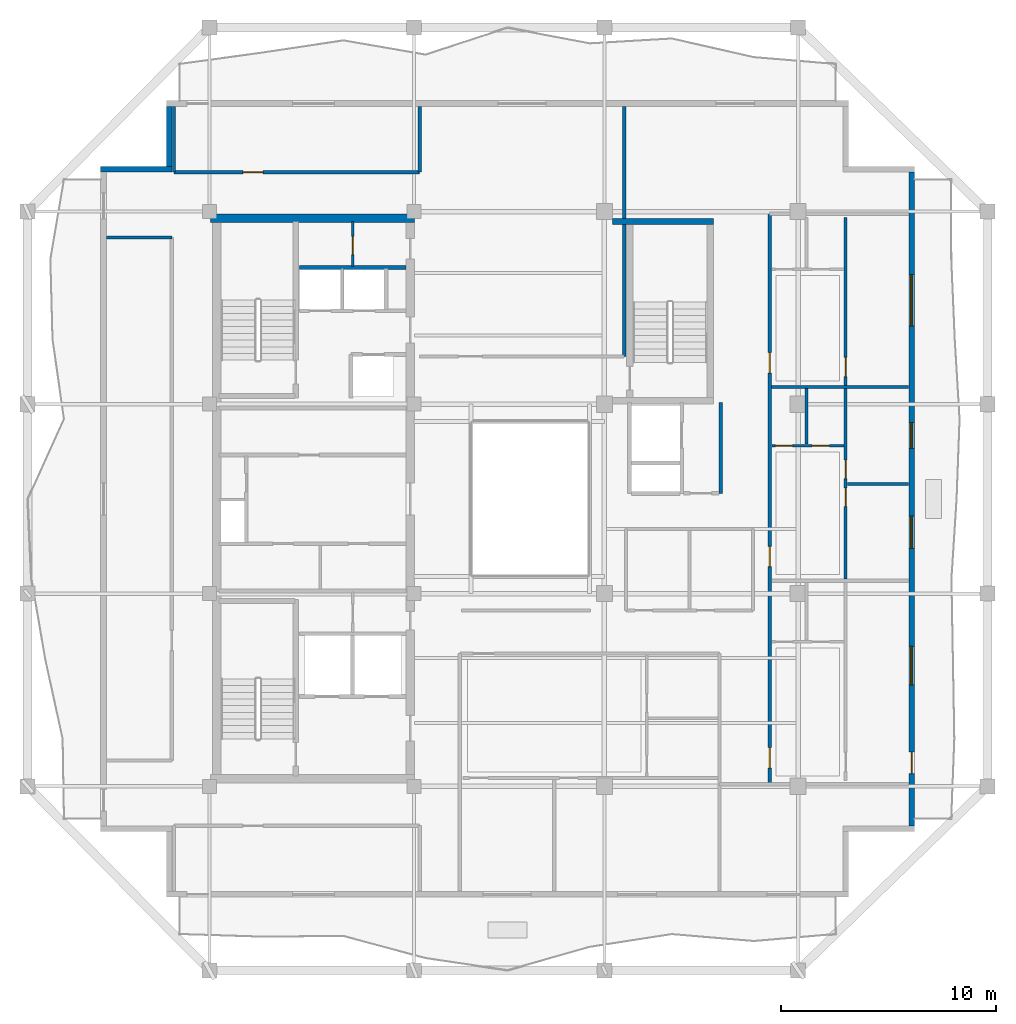
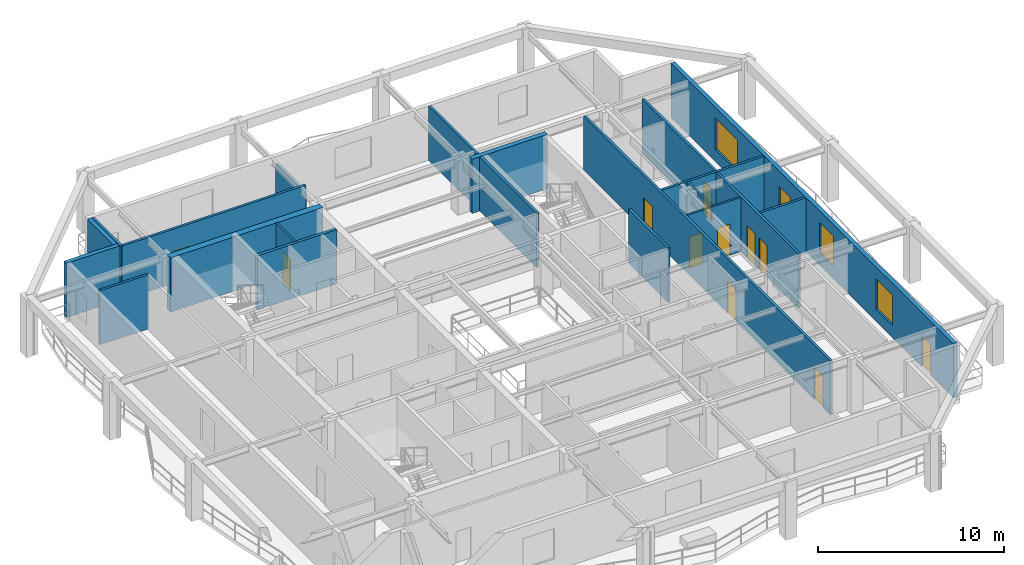
# One storey, part 5 of 10: 20 walls, 11 doors, 4 windows, 15 openings.
"""IFC4 building model written with IfcOpenShell, lengths in metres."""

from ifc_helpers import new_model, si_unit, direction, frame, frame_2d, origin, place, context, subcontext, project, spatial, rectangle, extrude, material, layer, layer_set, type_object, element, fill, save


model = new_model("IFC4")

# Units and contexts
model_context = context("Model", 3, precision=1e-05, world=origin(), true_north=direction((0.0, 1.0)))
body_context = subcontext(model_context, "Body", "Model", "MODEL_VIEW")
ifc_project = project(units=[si_unit("LENGTHUNIT", "METRE"), si_unit("AREAUNIT", "SQUARE_METRE"), si_unit("VOLUMEUNIT", "CUBIC_METRE"), si_unit("PLANEANGLEUNIT", "RADIAN"), si_unit("MASSUNIT", "GRAM", prefix="KILO")], contexts=[model_context])

# Site, building, storey
site_placement = place(None, origin())
site = spatial("IfcSite", under=ifc_project, at=site_placement, CompositionType="ELEMENT")
building_placement = place(site_placement, origin())
building = spatial("IfcBuilding", under=site, at=building_placement, Name="Kundavana Baori Tower", CompositionType="ELEMENT")
storey_placement = place(building_placement, frame((0.0, 0.0, 320.10009765625)))
storey = spatial("IfcBuildingStorey", under=building, at=storey_placement, Name="L79", CompositionType="ELEMENT", Elevation=320.10009765625)

# Wall
ifc_material_1 = material(Name="Concrete C50/60", Category="concrete")
ifc_layer_1 = layer(ifc_material_1, 0.39990234375, Name="WL-CORE-400")
ifc_layer_set_1 = layer_set([ifc_layer_1], Name="Concrete C50/60")
wall_type_1 = type_object("IfcWallType", Name="WL-CORE-400", PredefinedType="SHEAR", material=ifc_layer_set_1)
wall_1_placement = place(storey_placement, frame((15.5, 41.639892578125, 0.0), z_axis=(0.0, 0.0, 1.0), x_axis=(1.0, 0.0, 0.0)))
element("IfcWall", 1, at=wall_1_placement, inside=storey, type_object=wall_type_1, Name="L79 Offset Core North Shear Wall", PredefinedType="SHEAR", context=body_context, shape_type="SweptSolid", body=[
    extrude(rectangle(XDim=9.47998046875, YDim=0.39990234375, at=frame_2d((4.739990234375, 0.0))), origin(), (0.0, 0.0, 1.0), 3.559814453125),
])

# Wall, openings, door, windows
ifc_material_2 = material(Name="Kiln-Fired Terracotta Brick-Slip Masonry on Concrete C40/50", Category="masonry")
ifc_layer_2 = layer(ifc_material_2, 0.260009765625, Name="WL-EXT-BRK-260")
ifc_layer_set_2 = layer_set([ifc_layer_2], Name="Kiln-Fired Terracotta Brick-Slip Masonry on Concrete C40/50")
wall_type_2 = type_object("IfcWallType", Name="WL-EXT-BRK-260", PredefinedType="SOLIDWALL", material=ifc_layer_set_2)
wall_2_placement = place(storey_placement, frame((48.070068359375, 13.409912109375, 0.0), z_axis=(0.0, 0.0, 1.0), x_axis=(0.0, 1.0, 0.0)))
wall_2 = element("IfcWall", 2, at=wall_2_placement, inside=storey, type_object=wall_type_2, Name="L79 Exterior Insulated Facade Wall 04", PredefinedType="SOLIDWALL", context=body_context, shape_type="SweptSolid", body=[
    extrude(rectangle(XDim=30.380126953125, YDim=0.260009765625, at=frame_2d((15.18994140625, 0.0))), origin(), (0.0, 0.0, 1.0), 3.559814453125),
])
opening_1_placement = place(wall_2_placement, frame((2.429931640625, 0.0, 0.0)))
opening_1 = element("IfcOpeningElement", 3, at=opening_1_placement, cuts=wall_2, Name="Opening BD-1", PredefinedType="OPENING", context=body_context, shape_type="SweptSolid", body=[
    extrude(rectangle(XDim=1.0, YDim=2.050048828125, at=frame_2d((0.5, 1.02490234375))), frame((0.0, 0.14013671875, 0.0), z_axis=(0.0, -1.0, 0.0), x_axis=(1.0, 0.0, 0.0)), (0.0, 0.0, 1.0), 0.280029296875),
])
opening_2_placement = place(wall_2_placement, frame((6.5400390625, 0.0, 0.800048828125)))
opening_2 = element("IfcOpeningElement", 4, at=opening_2_placement, cuts=wall_2, Name="Opening W-01", PredefinedType="OPENING", context=body_context, shape_type="SweptSolid", body=[
    extrude(rectangle(XDim=1.800048828125, YDim=2.0, at=frame_2d((0.89990234375, 1.0))), frame((0.0, 0.14013671875, 0.0), z_axis=(0.0, -1.0, 0.0), x_axis=(1.0, 0.0, 0.0)), (0.0, 0.0, 1.0), 0.280029296875),
])
opening_3_placement = place(wall_2_placement, frame((12.889892578125, 0.0, 0.800048828125)))
opening_3 = element("IfcOpeningElement", 5, at=opening_3_placement, cuts=wall_2, Name="Opening W-02", PredefinedType="OPENING", context=body_context, shape_type="SweptSolid", body=[
    extrude(rectangle(XDim=1.5, YDim=2.0, at=frame_2d((0.75, 1.0))), frame((0.0, 0.14013671875, 0.0), z_axis=(0.0, -1.0, 0.0), x_axis=(1.0, 0.0, 0.0)), (0.0, 0.0, 1.0), 0.280029296875),
])
opening_4_placement = place(wall_2_placement, frame((17.5400390625, 0.0, 0.800048828125)))
opening_4 = element("IfcOpeningElement", 6, at=opening_4_placement, cuts=wall_2, Name="Opening W-03", PredefinedType="OPENING", context=body_context, shape_type="SweptSolid", body=[
    extrude(rectangle(XDim=1.199951171875, YDim=1.75, at=frame_2d((0.60009765625, 0.875))), frame((0.0, 0.14013671875, 0.0), z_axis=(0.0, -1.0, 0.0), x_axis=(1.0, 0.0, 0.0)), (0.0, 0.0, 1.0), 0.280029296875),
])
opening_5_placement = place(wall_2_placement, frame((23.215087890625, 0.0, 0.800048828125)))
opening_5 = element("IfcOpeningElement", 7, at=opening_5_placement, cuts=wall_2, Name="Opening W-04", PredefinedType="OPENING", context=body_context, shape_type="SweptSolid", body=[
    extrude(rectangle(XDim=2.39990234375, YDim=2.050048828125, at=frame_2d((1.199951171875, 1.02490234375))), frame((0.0, 0.14013671875, 0.0), z_axis=(0.0, -1.0, 0.0), x_axis=(1.0, 0.0, 0.0)), (0.0, 0.0, 1.0), 0.280029296875),
])
ifc_material_3 = material(Name="Architectural Patinated Bronze Metalwork")
door_type_1 = type_object("IfcDoorType", Name="DR-EXT-LOG-1000", OperationType="NOTDEFINED", PredefinedType="DOOR", material=ifc_material_3)
door_1_placement = place(opening_1_placement, frame((1.0, 0.0, 0.0), z_axis=(0.0, 0.0, 1.0), x_axis=(-1.0, 0.0, 0.0)))
door_1 = element("IfcDoor", 8, at=door_1_placement, inside=storey, type_object=door_type_1, Name="L79 Loggia Balcony Access Door E", OperationType="SINGLE_SWING_RIGHT", OverallHeight=2.050048828125, OverallWidth=1.0, PredefinedType="DOOR", context=body_context, shape_type="SweptSolid", body=[
    extrude(rectangle(XDim=1.0, YDim=2.050048828125, at=frame_2d((0.5, 1.02490234375))), frame((0.0, 0.02490234375, 0.0), z_axis=(0.0, -1.0, 0.0), x_axis=(1.0, 0.0, 0.0)), (0.0, 0.0, 1.0), 0.050048828125),
])
fill(opening_1, door_1)
ifc_material_4 = material(Name="Double-Glazed Solar-Control Low-E Insulated Glass", Category="glass")
window_type_1 = type_object("IfcWindowType", Name="WIN-LOG-1200x1750", PartitioningType="SINGLE_PANEL", PredefinedType="WINDOW", material=ifc_material_4)
window_1_placement = place(opening_4_placement, origin())
window_1 = element("IfcWindow", 9, at=window_1_placement, inside=storey, type_object=window_type_1, Name="L79 Recessed Loggia Window E-3", OverallHeight=1.75, OverallWidth=1.199951171875, PartitioningType="SINGLE_PANEL", PredefinedType="WINDOW", context=body_context, shape_type="SweptSolid", body=[
    extrude(rectangle(XDim=1.199951171875, YDim=1.75, at=frame_2d((0.60009765625, 0.875))), frame((0.0, 0.030029296875, 0.0), z_axis=(0.0, -1.0, 0.0), x_axis=(1.0, 0.0, 0.0)), (0.0, 0.0, 1.0), 0.06005859375),
])
fill(opening_4, window_1)
ifc_material_5 = material(Name="Double-Glazed Solar-Control Low-E Insulated Glass", Category="glass")
window_type_2 = type_object("IfcWindowType", Name="WIN-LOG-1500x2000", PartitioningType="SINGLE_PANEL", PredefinedType="WINDOW", material=ifc_material_5)
window_2_placement = place(opening_3_placement, origin())
window_2 = element("IfcWindow", 10, at=window_2_placement, inside=storey, type_object=window_type_2, Name="L79 Recessed Loggia Window E-2", OverallHeight=2.0, OverallWidth=1.5, PartitioningType="SINGLE_PANEL", PredefinedType="WINDOW", context=body_context, shape_type="SweptSolid", body=[
    extrude(rectangle(XDim=1.5, YDim=2.0, at=frame_2d((0.75, 1.0))), frame((0.0, 0.030029296875, 0.0), z_axis=(0.0, -1.0, 0.0), x_axis=(1.0, 0.0, 0.0)), (0.0, 0.0, 1.0), 0.06005859375),
])
fill(opening_3, window_2)
ifc_material_6 = material(Name="Double-Glazed Solar-Control Low-E Insulated Glass", Category="glass")
window_type_3 = type_object("IfcWindowType", Name="WIN-LOG-1800x2000", PartitioningType="SINGLE_PANEL", PredefinedType="WINDOW", material=ifc_material_6)
window_3_placement = place(opening_2_placement, origin())
window_3 = element("IfcWindow", 11, at=window_3_placement, inside=storey, type_object=window_type_3, Name="L79 Recessed Loggia Window E-1", OverallHeight=2.0, OverallWidth=1.800048828125, PartitioningType="SINGLE_PANEL", PredefinedType="WINDOW", context=body_context, shape_type="SweptSolid", body=[
    extrude(rectangle(XDim=1.800048828125, YDim=2.0, at=frame_2d((0.89990234375, 1.0))), frame((0.0, 0.030029296875, 0.0), z_axis=(0.0, -1.0, 0.0), x_axis=(1.0, 0.0, 0.0)), (0.0, 0.0, 1.0), 0.06005859375),
])
fill(opening_2, window_3)
ifc_material_7 = material(Name="Double-Glazed Solar-Control Low-E Insulated Glass", Category="glass")
window_type_4 = type_object("IfcWindowType", Name="WIN-LOG-2400x2050", PartitioningType="SINGLE_PANEL", PredefinedType="WINDOW", material=ifc_material_7)
window_4_placement = place(opening_5_placement, origin())
window_4 = element("IfcWindow", 12, at=window_4_placement, inside=storey, type_object=window_type_4, Name="L79 Recessed Loggia Window E-4", OverallHeight=2.050048828125, OverallWidth=2.39990234375, PartitioningType="SINGLE_PANEL", PredefinedType="WINDOW", context=body_context, shape_type="SweptSolid", body=[
    extrude(rectangle(XDim=2.39990234375, YDim=2.050048828125, at=frame_2d((1.199951171875, 1.02490234375))), frame((0.0, 0.030029296875, 0.0), z_axis=(0.0, -1.0, 0.0), x_axis=(1.0, 0.0, 0.0)), (0.0, 0.0, 1.0), 0.06005859375),
])
fill(opening_5, window_4)

# Walls
wall_3_placement = place(storey_placement, frame((13.580078125, 46.840087890625, 0.0), z_axis=(0.0, 0.0, 1.0), x_axis=(0.0, -1.0, 0.0)))
element("IfcWall", 13, at=wall_3_placement, inside=storey, type_object=wall_type_2, Name="L79 Exterior Insulated Facade Wall 08", PredefinedType="SOLIDWALL", context=body_context, shape_type="SweptSolid", body=[
    extrude(rectangle(XDim=2.7900390625, YDim=0.260009765625, at=frame_2d((1.39501953125, 0.0))), origin(), (0.0, 0.0, 1.0), 3.559814453125),
])
wall_4_placement = place(storey_placement, frame((13.7099609375, 43.919921875, 0.0), z_axis=(0.0, 0.0, 1.0), x_axis=(-1.0, 0.0, 0.0)))
element("IfcWall", 14, at=wall_4_placement, inside=storey, type_object=wall_type_2, Name="L79 Exterior Insulated Facade Wall 09", PredefinedType="SOLIDWALL", context=body_context, shape_type="SweptSolid", body=[
    extrude(rectangle(XDim=3.31005859375, YDim=0.260009765625, at=frame_2d((1.655029296875, 0.0))), origin(), (0.0, 0.0, 1.0), 3.559814453125),
])

# Wall, opening, door
ifc_material_8 = material(Name="Acoustic Gypsum Plasterboard on Galvanised Steel Studs", Category="steel")
ifc_layer_3 = layer(ifc_material_8, 0.1201171875, Name="WL-PART-120")
ifc_layer_set_3 = layer_set([ifc_layer_3], Name="Acoustic Gypsum Plasterboard on Galvanised Steel Studs")
wall_type_3 = type_object("IfcWallType", Name="WL-PART-120", PredefinedType="PARTITIONING", material=ifc_layer_set_3)
wall_5_placement = place(storey_placement, frame((22.10009765625, 39.39990234375, 0.0), z_axis=(0.0, 0.0, 1.0), x_axis=(0.0, 1.0, 0.0)))
wall_5 = element("IfcWall", 15, at=wall_5_placement, inside=storey, type_object=wall_type_3, Name="WL-L79-CSRV-D1", PredefinedType="PARTITIONING", context=body_context, shape_type="SweptSolid", body=[
    extrude(rectangle(XDim=2.080078125, YDim=0.1201171875, at=frame_2d((1.0400390625, 0.0))), origin(), (0.0, 0.0, 1.0), 3.559814453125),
])
opening_6_placement = place(wall_5_placement, frame((0.550048828125, 0.0, 0.0)))
opening_6 = element("IfcOpeningElement", 16, at=opening_6_placement, cuts=wall_5, Name="Opening FD-085", PredefinedType="OPENING", context=body_context, shape_type="SweptSolid", body=[
    extrude(rectangle(XDim=0.85009765625, YDim=2.06005859375, at=frame_2d((0.425048828125, 1.030029296875))), frame((0.0, 0.070068359375, 0.0), z_axis=(0.0, -1.0, 0.0), x_axis=(1.0, 0.0, 0.0)), (0.0, 0.0, 1.0), 0.14013671875),
])
ifc_material_9 = material(Name="Galvanised Steel Fire-Rated Door Leaf", Category="steel")
door_type_2 = type_object("IfcDoorType", Name="DR-FD60-850", OperationType="NOTDEFINED", PredefinedType="DOOR", material=ifc_material_9)
door_2_placement = place(opening_6_placement, origin())
door_2 = element("IfcDoor", 17, at=door_2_placement, inside=storey, type_object=door_type_2, Name="DR-L79-CSRV1", OperationType="SINGLE_SWING_LEFT", OverallHeight=2.06005859375, OverallWidth=0.85009765625, PredefinedType="DOOR", context=body_context, shape_type="SweptSolid", body=[
    extrude(rectangle(XDim=0.85009765625, YDim=2.06005859375, at=frame_2d((0.425048828125, 1.030029296875))), frame((0.0, 0.02490234375, 0.0), z_axis=(0.0, -1.0, 0.0), x_axis=(1.0, 0.0, 0.0)), (0.0, 0.0, 1.0), 0.050048828125),
])
fill(opening_6, door_2)

# Wall
ifc_material_10 = material(Name="Fire-Rated Gypsum Drywall on Galvanised Steel Studs", Category="steel")
ifc_layer_4 = layer(ifc_material_10, 0.14990234375, Name="WL-PART-150")
ifc_layer_set_4 = layer_set([ifc_layer_4], Name="Fire-Rated Gypsum Drywall on Galvanised Steel Studs")
wall_type_4 = type_object("IfcWallType", Name="WL-PART-150", PredefinedType="PARTITIONING", material=ifc_layer_set_4)
wall_6_placement = place(storey_placement, frame((39.199951171875, 28.860107421875, 0.0), z_axis=(0.0, 0.0, 1.0), x_axis=(0.0, 1.0, 0.0)))
element("IfcWall", 18, at=wall_6_placement, inside=storey, type_object=wall_type_4, Name="WL-L79-SVLOB-E", PredefinedType="PARTITIONING", context=body_context, shape_type="SweptSolid", body=[
    extrude(rectangle(XDim=4.219970703125, YDim=0.14990234375, at=frame_2d((2.10986328125, 0.0))), origin(), (0.0, 0.0, 1.0), 3.559814453125),
])

# Wall, opening, door
wall_7_placement = place(storey_placement, frame((13.800048828125, 43.780029296875, 0.0), z_axis=(0.0, 0.0, 1.0), x_axis=(1.0, 0.0, 0.0)))
wall_7 = element("IfcWall", 19, at=wall_7_placement, inside=storey, type_object=wall_type_4, Name="WL-L79-RNC", PredefinedType="PARTITIONING", context=body_context, shape_type="SweptSolid", body=[
    extrude(rectangle(XDim=11.419921875, YDim=0.14990234375, at=frame_2d((5.7099609375, 0.0))), origin(), (0.0, 0.0, 1.0), 3.559814453125),
])
opening_7_placement = place(wall_7_placement, frame((3.199951171875, 0.0, 0.0)))
opening_7 = element("IfcOpeningElement", 20, at=opening_7_placement, cuts=wall_7, Name="Opening ID-095", PredefinedType="OPENING", context=body_context, shape_type="SweptSolid", body=[
    extrude(rectangle(XDim=0.949951171875, YDim=2.080078125, at=frame_2d((0.47509765625, 1.0400390625))), frame((0.0, 0.0849609375, 0.0), z_axis=(0.0, -1.0, 0.0), x_axis=(1.0, 0.0, 0.0)), (0.0, 0.0, 1.0), 0.169921875),
])
ifc_material_11 = material(Name="Engineered Teak Solid-Core Timber Veneer", Category="wood")
door_type_3 = type_object("IfcDoorType", Name="DR-INT-950", OperationType="NOTDEFINED", PredefinedType="DOOR", material=ifc_material_11)
door_3_placement = place(opening_7_placement, origin())
door_3 = element("IfcDoor", 21, at=door_3_placement, inside=storey, type_object=door_type_3, Name="DR-L79-RMNW", OperationType="SINGLE_SWING_RIGHT", OverallHeight=2.080078125, OverallWidth=0.949951171875, PredefinedType="DOOR", context=body_context, shape_type="SweptSolid", body=[
    extrude(rectangle(XDim=0.949951171875, YDim=2.080078125, at=frame_2d((0.47509765625, 1.0400390625))), frame((0.0, 0.02490234375, 0.0), z_axis=(0.0, -1.0, 0.0), x_axis=(1.0, 0.0, 0.0)), (0.0, 0.0, 1.0), 0.050048828125),
])
fill(opening_7, door_3)

# Walls
wall_8_placement = place(storey_placement, frame((13.800048828125, 43.780029296875, 0.0), z_axis=(0.0, 0.0, 1.0), x_axis=(0.0, 1.0, 0.0)))
element("IfcWall", 22, at=wall_8_placement, inside=storey, type_object=wall_type_4, Name="WL-L79-RNCW", PredefinedType="PARTITIONING", context=body_context, shape_type="SweptSolid", body=[
    extrude(rectangle(XDim=3.0400390625, YDim=0.14990234375, at=frame_2d((1.52001953125, 0.0))), origin(), (0.0, 0.0, 1.0), 3.559814453125),
])
wall_9_placement = place(storey_placement, frame((25.219970703125, 43.780029296875, 0.0), z_axis=(0.0, 0.0, 1.0), x_axis=(0.0, 1.0, 0.0)))
element("IfcWall", 23, at=wall_9_placement, inside=storey, type_object=wall_type_4, Name="WL-L79-RNCE", PredefinedType="PARTITIONING", context=body_context, shape_type="SweptSolid", body=[
    extrude(rectangle(XDim=3.0400390625, YDim=0.14990234375, at=frame_2d((1.52001953125, 0.0))), origin(), (0.0, 0.0, 1.0), 3.10986328125),
])
wall_10_placement = place(storey_placement, frame((10.679931640625, 40.75, 0.0), z_axis=(0.0, 0.0, 1.0), x_axis=(1.0, 0.0, 0.0)))
element("IfcWall", 24, at=wall_10_placement, inside=storey, type_object=wall_type_4, Name="WL-L79-RWN", PredefinedType="PARTITIONING", context=body_context, shape_type="SweptSolid", body=[
    extrude(rectangle(XDim=3.02001953125, YDim=0.14990234375, at=frame_2d((1.510009765625, 0.0))), origin(), (0.0, 0.0, 1.0), 3.559814453125),
])
wall_11_placement = place(storey_placement, frame((34.719970703125, 35.219970703125, 0.0), z_axis=(0.0, 0.0, 1.0), x_axis=(0.0, 1.0, 0.0)))
element("IfcWall", 25, at=wall_11_placement, inside=storey, type_object=wall_type_4, Name="WL-L79-RNEND", PredefinedType="PARTITIONING", context=body_context, shape_type="SweptSolid", body=[
    extrude(rectangle(XDim=11.60009765625, YDim=0.14990234375, at=frame_2d((5.800048828125, 0.0))), origin(), (0.0, 0.0, 1.0), 3.559814453125),
])

# Wall, openings, doors
wall_12_placement = place(storey_placement, frame((41.47998046875, 15.35009765625, 0.0), z_axis=(0.0, 0.0, 1.0), x_axis=(0.0, 1.0, 0.0)))
wall_12 = element("IfcWall", 26, at=wall_12_placement, inside=storey, type_object=wall_type_4, Name="WL-L79-RE", PredefinedType="PARTITIONING", context=body_context, shape_type="SweptSolid", body=[
    extrude(rectangle(XDim=26.5, YDim=0.14990234375, at=frame_2d((13.25, 0.0))), origin(), (0.0, 0.0, 1.0), 3.559814453125),
])
opening_8_placement = place(wall_12_placement, frame((0.75, 0.0, 0.0)))
opening_8 = element("IfcOpeningElement", 27, at=opening_8_placement, cuts=wall_12, Name="Opening FD-095", PredefinedType="OPENING", context=body_context, shape_type="SweptSolid", body=[
    extrude(rectangle(XDim=0.949951171875, YDim=2.10009765625, at=frame_2d((0.47509765625, 1.050048828125))), frame((0.0, 0.0849609375, 0.0), z_axis=(0.0, -1.0, 0.0), x_axis=(1.0, 0.0, 0.0)), (0.0, 0.0, 1.0), 0.169921875),
])
opening_9_placement = place(wall_12_placement, frame((10.10009765625, 0.0, 0.0)))
opening_9 = element("IfcOpeningElement", 28, at=opening_9_placement, cuts=wall_12, Name="Opening FD-095", PredefinedType="OPENING", context=body_context, shape_type="SweptSolid", body=[
    extrude(rectangle(XDim=0.949951171875, YDim=2.10009765625, at=frame_2d((0.47509765625, 1.050048828125))), frame((0.0, 0.0849609375, 0.0), z_axis=(0.0, -1.0, 0.0), x_axis=(1.0, 0.0, 0.0)), (0.0, 0.0, 1.0), 0.169921875),
])
opening_10_placement = place(wall_12_placement, frame((19.10009765625, 0.0, 0.0)))
opening_10 = element("IfcOpeningElement", 29, at=opening_10_placement, cuts=wall_12, Name="Opening FD-095", PredefinedType="OPENING", context=body_context, shape_type="SweptSolid", body=[
    extrude(rectangle(XDim=0.949951171875, YDim=2.10009765625, at=frame_2d((0.47509765625, 1.050048828125))), frame((0.0, 0.0849609375, 0.0), z_axis=(0.0, -1.0, 0.0), x_axis=(1.0, 0.0, 0.0)), (0.0, 0.0, 1.0), 0.169921875),
])
ifc_material_12 = material(Name="Engineered Teak Fire-Rated Timber Door Leaf", Category="wood")
door_type_4 = type_object("IfcDoorType", Name="DR-FD60-950", OperationType="NOTDEFINED", PredefinedType="DOOR", material=ifc_material_12)
door_4_placement = place(opening_8_placement, origin())
door_4 = element("IfcDoor", 30, at=door_4_placement, inside=storey, type_object=door_type_4, Name="DR-L79-E1-ENT", OperationType="SINGLE_SWING_LEFT", OverallHeight=2.10009765625, OverallWidth=0.949951171875, PredefinedType="DOOR", context=body_context, shape_type="SweptSolid", body=[
    extrude(rectangle(XDim=0.949951171875, YDim=2.10009765625, at=frame_2d((0.47509765625, 1.050048828125))), frame((0.0, 0.02490234375, 0.0), z_axis=(0.0, -1.0, 0.0), x_axis=(1.0, 0.0, 0.0)), (0.0, 0.0, 1.0), 0.050048828125),
])
fill(opening_8, door_4)
door_5_placement = place(opening_9_placement, origin())
door_5 = element("IfcDoor", 31, at=door_5_placement, inside=storey, type_object=door_type_4, Name="DR-L79-E2-ENT", OperationType="SINGLE_SWING_LEFT", OverallHeight=2.10009765625, OverallWidth=0.949951171875, PredefinedType="DOOR", context=body_context, shape_type="SweptSolid", body=[
    extrude(rectangle(XDim=0.949951171875, YDim=2.10009765625, at=frame_2d((0.47509765625, 1.050048828125))), frame((0.0, 0.02490234375, 0.0), z_axis=(0.0, -1.0, 0.0), x_axis=(1.0, 0.0, 0.0)), (0.0, 0.0, 1.0), 0.050048828125),
])
fill(opening_9, door_5)
door_6_placement = place(opening_10_placement, origin())
door_6 = element("IfcDoor", 32, at=door_6_placement, inside=storey, type_object=door_type_4, Name="DR-L79-E3-ENT", OperationType="SINGLE_SWING_LEFT", OverallHeight=2.10009765625, OverallWidth=0.949951171875, PredefinedType="DOOR", context=body_context, shape_type="SweptSolid", body=[
    extrude(rectangle(XDim=0.949951171875, YDim=2.10009765625, at=frame_2d((0.47509765625, 1.050048828125))), frame((0.0, 0.02490234375, 0.0), z_axis=(0.0, -1.0, 0.0), x_axis=(1.0, 0.0, 0.0)), (0.0, 0.0, 1.0), 0.050048828125),
])
fill(opening_10, door_6)

wall_13_placement = place(storey_placement, frame((45.00390625, 24.8798828125, 0.0), z_axis=(0.0, 0.0, 1.0), x_axis=(0.0, 1.0, 0.0)))
wall_13 = element("IfcWall", 33, at=wall_13_placement, inside=storey, type_object=wall_type_4, Name="WL-L79-E2-VT", PredefinedType="PARTITIONING", context=body_context, shape_type="SweptSolid", body=[
    extrude(rectangle(XDim=8.840087890625, YDim=0.14990234375, at=frame_2d((4.419921875, 0.0))), origin(), (0.0, 0.0, 1.0), 3.559814453125),
])
opening_11_placement = place(wall_13_placement, frame((3.3701171875, 0.0, 0.0)))
opening_11 = element("IfcOpeningElement", 34, at=opening_11_placement, cuts=wall_13, Name="Opening ID-085", PredefinedType="OPENING", context=body_context, shape_type="SweptSolid", body=[
    extrude(rectangle(XDim=0.85009765625, YDim=2.080078125, at=frame_2d((0.425048828125, 1.0400390625))), frame((0.0, 0.0849609375, 0.0), z_axis=(0.0, -1.0, 0.0), x_axis=(1.0, 0.0, 0.0)), (0.0, 0.0, 1.0), 0.169921875),
])
opening_12_placement = place(wall_13_placement, frame((4.669921875, 0.0, 0.0)))
opening_12 = element("IfcOpeningElement", 35, at=opening_12_placement, cuts=wall_13, Name="Opening ID-085", PredefinedType="OPENING", context=body_context, shape_type="SweptSolid", body=[
    extrude(rectangle(XDim=0.85009765625, YDim=2.080078125, at=frame_2d((0.425048828125, 1.0400390625))), frame((0.0, 0.0849609375, 0.0), z_axis=(0.0, -1.0, 0.0), x_axis=(1.0, 0.0, 0.0)), (0.0, 0.0, 1.0), 0.169921875),
])
ifc_material_13 = material(Name="Engineered Teak Solid-Core Timber Veneer", Category="wood")
door_type_5 = type_object("IfcDoorType", Name="DR-INT-850", OperationType="NOTDEFINED", PredefinedType="DOOR", material=ifc_material_13)
door_7_placement = place(opening_11_placement, origin())
door_7 = element("IfcDoor", 36, at=door_7_placement, inside=storey, type_object=door_type_5, Name="DR-L79-E2-B1", OperationType="SINGLE_SWING_LEFT", OverallHeight=2.080078125, OverallWidth=0.85009765625, PredefinedType="DOOR", context=body_context, shape_type="SweptSolid", body=[
    extrude(rectangle(XDim=0.85009765625, YDim=2.080078125, at=frame_2d((0.425048828125, 1.0400390625))), frame((0.0, 0.02490234375, 0.0), z_axis=(0.0, -1.0, 0.0), x_axis=(1.0, 0.0, 0.0)), (0.0, 0.0, 1.0), 0.050048828125),
])
fill(opening_11, door_7)
door_8_placement = place(opening_12_placement, origin())
door_8 = element("IfcDoor", 37, at=door_8_placement, inside=storey, type_object=door_type_5, Name="DR-L79-E2-B2", OperationType="SINGLE_SWING_RIGHT", OverallHeight=2.080078125, OverallWidth=0.85009765625, PredefinedType="DOOR", context=body_context, shape_type="SweptSolid", body=[
    extrude(rectangle(XDim=0.85009765625, YDim=2.080078125, at=frame_2d((0.425048828125, 1.0400390625))), frame((0.0, 0.02490234375, 0.0), z_axis=(0.0, -1.0, 0.0), x_axis=(1.0, 0.0, 0.0)), (0.0, 0.0, 1.0), 0.050048828125),
])
fill(opening_12, door_8)

# Walls
wall_14_placement = place(storey_placement, frame((45.083984375, 29.300048828125, 0.0), z_axis=(0.0, 0.0, 1.0), x_axis=(1.0, 0.0, 0.0)))
element("IfcWall", 38, at=wall_14_placement, inside=storey, type_object=wall_type_4, Name="WL-L79-E2-BDH", PredefinedType="PARTITIONING", context=body_context, shape_type="SweptSolid", body=[
    extrude(rectangle(XDim=2.8359375, YDim=0.14990234375, at=frame_2d((1.41796875, 0.0))), origin(), (0.0, 0.0, 1.0), 3.559814453125),
])
wall_15_placement = place(storey_placement, frame((41.56005859375, 33.800048828125, 0.0), z_axis=(0.0, 0.0, 1.0), x_axis=(1.0, 0.0, 0.0)))
element("IfcWall", 39, at=wall_15_placement, inside=storey, type_object=wall_type_4, Name="WL-L79-RED2", PredefinedType="PARTITIONING", context=body_context, shape_type="SweptSolid", body=[
    extrude(rectangle(XDim=6.35986328125, YDim=0.14990234375, at=frame_2d((3.179931640625, 0.0))), origin(), (0.0, 0.0, 1.0), 3.559814453125),
])

# Wall, opening, door
wall_16_placement = place(storey_placement, frame((45.00390625, 33.8798828125, 0.0), z_axis=(0.0, 0.0, 1.0), x_axis=(0.0, 1.0, 0.0)))
wall_16 = element("IfcWall", 40, at=wall_16_placement, inside=storey, type_object=wall_type_4, Name="WL-L79-E3-VT", PredefinedType="PARTITIONING", context=body_context, shape_type="SweptSolid", body=[
    extrude(rectangle(XDim=7.7900390625, YDim=0.14990234375, at=frame_2d((3.89501953125, 0.0))), origin(), (0.0, 0.0, 1.0), 3.559814453125),
])
opening_13_placement = place(wall_16_placement, frame((0.39990234375, 0.0, 0.0)))
opening_13 = element("IfcOpeningElement", 41, at=opening_13_placement, cuts=wall_16, Name="Opening ID-090", PredefinedType="OPENING", context=body_context, shape_type="SweptSolid", body=[
    extrude(rectangle(XDim=0.89990234375, YDim=2.080078125, at=frame_2d((0.449951171875, 1.0400390625))), frame((0.0, 0.0849609375, 0.0), z_axis=(0.0, -1.0, 0.0), x_axis=(1.0, 0.0, 0.0)), (0.0, 0.0, 1.0), 0.169921875),
])
ifc_material_14 = material(Name="Engineered Teak Solid-Core Timber Veneer", Category="wood")
door_type_6 = type_object("IfcDoorType", Name="DR-INT-900", OperationType="NOTDEFINED", PredefinedType="DOOR", material=ifc_material_14)
door_9_placement = place(opening_13_placement, origin())
door_9 = element("IfcDoor", 42, at=door_9_placement, inside=storey, type_object=door_type_6, Name="DR-L79-E3-B1", OperationType="SINGLE_SWING_LEFT", OverallHeight=2.080078125, OverallWidth=0.89990234375, PredefinedType="DOOR", context=body_context, shape_type="SweptSolid", body=[
    extrude(rectangle(XDim=0.89990234375, YDim=2.080078125, at=frame_2d((0.449951171875, 1.0400390625))), frame((0.0, 0.02490234375, 0.0), z_axis=(0.0, -1.0, 0.0), x_axis=(1.0, 0.0, 0.0)), (0.0, 0.0, 1.0), 0.050048828125),
])
fill(opening_13, door_9)

# Walls
ifc_material_15 = material(Name="Autoclaved Aerated Concrete Blockwork Masonry", Category="masonry")
ifc_layer_5 = layer(ifc_material_15, 0.179931640625, Name="WL-SHAFT-180")
ifc_layer_set_5 = layer_set([ifc_layer_5], Name="Autoclaved Aerated Concrete Blockwork Masonry")
wall_type_5 = type_object("IfcWallType", Name="WL-SHAFT-180", PredefinedType="SOLIDWALL", material=ifc_layer_set_5)
wall_17_placement = place(storey_placement, frame((19.639892578125, 39.360107421875, 0.0), z_axis=(0.0, 0.0, 1.0), x_axis=(1.0, 0.0, 0.0)))
element("IfcWall", 43, at=wall_17_placement, inside=storey, type_object=wall_type_5, Name="WL-L79-HRLOB-TOP", PredefinedType="SOLIDWALL", context=body_context, shape_type="SweptSolid", body=[
    extrude(rectangle(XDim=4.940185546875, YDim=0.179931640625, at=frame_2d((2.47021484375, 0.0))), origin(), (0.0, 0.0, 1.0), 3.559814453125),
])
ifc_material_16 = material(Name="Concrete C50/60", Category="concrete")
ifc_layer_6 = layer(ifc_material_16, 0.300048828125, Name="WL-ST3-300")
ifc_layer_set_6 = layer_set([ifc_layer_6], Name="Concrete C50/60")
wall_type_6 = type_object("IfcWallType", Name="WL-ST3-300", PredefinedType="SHEAR", material=ifc_layer_set_6)
wall_18_placement = place(storey_placement, frame((34.175048828125, 41.489990234375, 0.0), z_axis=(0.0, 0.0, 1.0), x_axis=(1.0, 0.0, 0.0)))
element("IfcWall", 44, at=wall_18_placement, inside=storey, type_object=wall_type_6, Name="L79 Stair ST3 North Shear Wall", PredefinedType="SHEAR", context=body_context, shape_type="SweptSolid", body=[
    extrude(rectangle(XDim=4.695068359375, YDim=0.300048828125, at=frame_2d((2.34765625, 0.0))), origin(), (0.0, 0.0, 1.0), 3.559814453125),
])

# Wall, openings, doors
ifc_material_17 = material(Name="Autoclaved Aerated Concrete Blockwork Masonry", Category="masonry")
ifc_layer_7 = layer(ifc_material_17, 0.125, Name="WL-WET-120")
ifc_layer_set_7 = layer_set([ifc_layer_7], Name="Autoclaved Aerated Concrete Blockwork Masonry")
wall_type_7 = type_object("IfcWallType", Name="WL-WET-120", PredefinedType="PLUMBINGWALL", material=ifc_layer_set_7)
wall_19_placement = place(storey_placement, frame((41.580078125, 31.068115234375, 0.0), z_axis=(0.0, 0.0, 1.0), x_axis=(1.0, 0.0, 0.0)))
wall_19 = element("IfcWall", 45, at=wall_19_placement, inside=storey, type_object=wall_type_7, Name="WL-L79-E2-KH", PredefinedType="PLUMBINGWALL", context=body_context, shape_type="SweptSolid", body=[
    extrude(rectangle(XDim=3.343994140625, YDim=0.125, at=frame_2d((1.671875, 0.0))), origin(), (0.0, 0.0, 1.0), 3.559814453125),
])
opening_14_placement = place(wall_19_placement, frame((0.159912109375, 0.0, 0.0)))
opening_14 = element("IfcOpeningElement", 46, at=opening_14_placement, cuts=wall_19, Name="Opening WD-080", PredefinedType="OPENING", context=body_context, shape_type="SweptSolid", body=[
    extrude(rectangle(XDim=0.800048828125, YDim=2.050048828125, at=frame_2d((0.39990234375, 1.02490234375))), frame((0.0, 0.072509765625, 0.0), z_axis=(0.0, -1.0, 0.0), x_axis=(1.0, 0.0, 0.0)), (0.0, 0.0, 1.0), 0.14501953125),
])
opening_15_placement = place(wall_19_placement, frame((1.864990234375, 0.0, 0.0)))
opening_15 = element("IfcOpeningElement", 47, at=opening_15_placement, cuts=wall_19, Name="Opening WD-080", PredefinedType="OPENING", context=body_context, shape_type="SweptSolid", body=[
    extrude(rectangle(XDim=0.800048828125, YDim=2.050048828125, at=frame_2d((0.39990234375, 1.02490234375))), frame((0.0, 0.072509765625, 0.0), z_axis=(0.0, -1.0, 0.0), x_axis=(1.0, 0.0, 0.0)), (0.0, 0.0, 1.0), 0.14501953125),
])
ifc_material_18 = material(Name="Engineered Teak Solid-Core Timber Veneer", Category="wood")
door_type_7 = type_object("IfcDoorType", Name="DR-WET-800", OperationType="NOTDEFINED", PredefinedType="DOOR", material=ifc_material_18)
door_10_placement = place(opening_14_placement, origin())
door_10 = element("IfcDoor", 48, at=door_10_placement, inside=storey, type_object=door_type_7, Name="DR-L79-E2-BT", OperationType="SINGLE_SWING_LEFT", OverallHeight=2.050048828125, OverallWidth=0.800048828125, PredefinedType="DOOR", context=body_context, shape_type="SweptSolid", body=[
    extrude(rectangle(XDim=0.800048828125, YDim=2.050048828125, at=frame_2d((0.39990234375, 1.02490234375))), frame((0.0, 0.02490234375, 0.0), z_axis=(0.0, -1.0, 0.0), x_axis=(1.0, 0.0, 0.0)), (0.0, 0.0, 1.0), 0.050048828125),
])
fill(opening_14, door_10)
door_11_placement = place(opening_15_placement, origin())
door_11 = element("IfcDoor", 49, at=door_11_placement, inside=storey, type_object=door_type_7, Name="DR-L79-E2-KT", OperationType="SINGLE_SWING_RIGHT", OverallHeight=2.050048828125, OverallWidth=0.800048828125, PredefinedType="DOOR", context=body_context, shape_type="SweptSolid", body=[
    extrude(rectangle(XDim=0.800048828125, YDim=2.050048828125, at=frame_2d((0.39990234375, 1.02490234375))), frame((0.0, 0.02490234375, 0.0), z_axis=(0.0, -1.0, 0.0), x_axis=(1.0, 0.0, 0.0)), (0.0, 0.0, 1.0), 0.050048828125),
])
fill(opening_15, door_11)

# Wall
wall_20_placement = place(storey_placement, frame((43.18505859375, 31.14794921875, 0.0), z_axis=(0.0, 0.0, 1.0), x_axis=(0.0, 1.0, 0.0)))
element("IfcWall", 50, at=wall_20_placement, inside=storey, type_object=wall_type_7, Name="WL-L79-E2-BV", PredefinedType="PLUMBINGWALL", context=body_context, shape_type="SweptSolid", body=[
    extrude(rectangle(XDim=2.572021484375, YDim=0.125, at=frame_2d((1.2861328125, 0.0))), origin(), (0.0, 0.0, 1.0), 3.559814453125),
])

save(model, "model.ifc")
